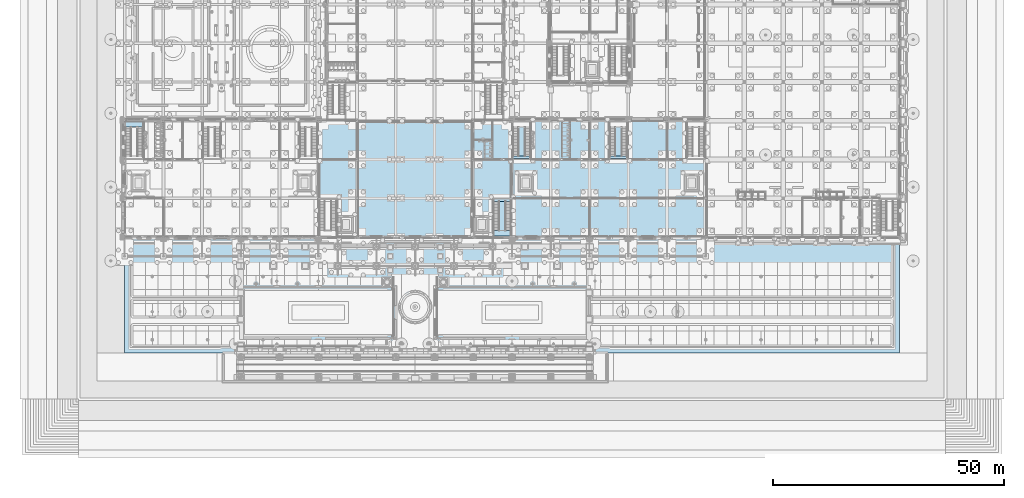
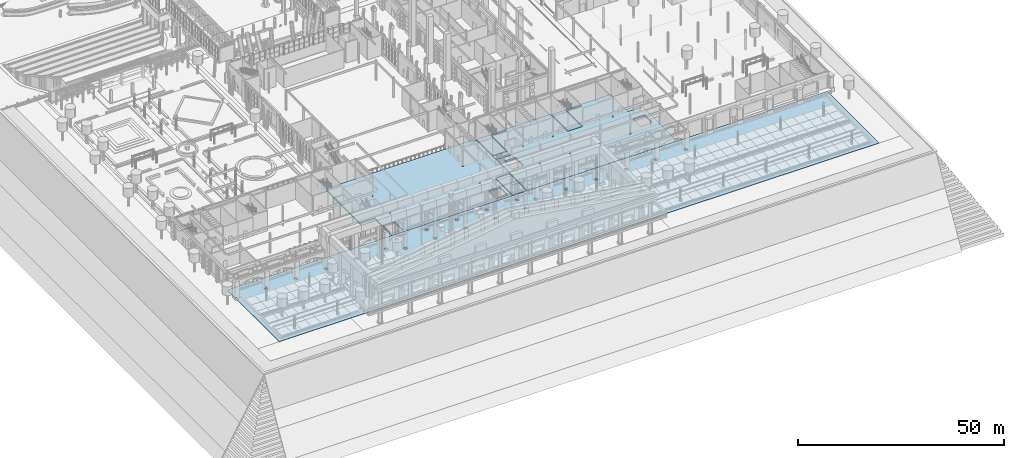
# One storey, part 76 of 222: 11 slabs, 4 elements without a shape of their own.
"""IFC4 building model written with IfcOpenShell, lengths in metres."""

import ifcopenshell
import ifcopenshell.guid

model = None  # the IFC model being written
_history = None  # IfcOwnerHistory: only IFC2X3 demands one
_inside = {}  # id of a spatial element -> (the spatial element, [elements in it])
_under = {}  # id of a project, library or spatial element -> (it, [spatial elements below it])
_declared = {}  # id of a project -> (the project, [libraries it declares])
_typed = {}  # id of a type object -> (the type object, [elements of that type])
_made_of = {}  # id of a material, layer set ... -> (it, [elements and type objects made of it])


def new_model(schema):
    """Start an empty IFC model of exactly this schema.

    Asked for "IFC4X3", IfcOpenShell would pick the latest addendum, in which some entities
    have other attributes; the version numbers below select the first issue.
    IFC2X3 requires an IfcOwnerHistory on every rooted entity: one is made here for all.
    """
    global model, _history
    if schema == "IFC4X3":
        model = ifcopenshell.file(schema_version=(4, 3, 0, 0))
    else:
        model = ifcopenshell.file(schema=schema)
    _inside.clear()
    _under.clear()
    _declared.clear()
    _typed.clear()
    _made_of.clear()
    _history = None
    if model.schema == "IFC2X3":
        org = make("IfcOrganization", Name="unknown")
        user = make(
            "IfcPersonAndOrganization",
            ThePerson=make("IfcPerson", FamilyName="unknown"),
            TheOrganization=org,
        )
        app = make(
            "IfcApplication",
            ApplicationDeveloper=org,
            Version="unknown",
            ApplicationFullName="unknown",
            ApplicationIdentifier="unknown",
        )
        _history = make(
            "IfcOwnerHistory",
            OwningUser=user,
            OwningApplication=app,
            ChangeAction="ADDED",
            CreationDate=0,
        )
    return model


def make(cls, **values):
    """One entity of the class cls with the attributes given. An attribute that is None is left unset."""
    return model.create_entity(
        cls, **{name: value for name, value in values.items() if value is not None}
    )


def rooted(cls, **values):
    """An entity with a GlobalId (a new one), such as an element, a storey or a relation."""
    return make(cls, GlobalId=ifcopenshell.guid.new(), OwnerHistory=_history, **values)


def si_unit(unit_type, name, prefix=None):
    """IfcSIUnit, for example si_unit("LENGTHUNIT", "METRE", prefix="MILLI")."""
    return make("IfcSIUnit", UnitType=unit_type, Prefix=prefix, Name=name)


def assignment(units):
    """IfcUnitAssignment: the units of a project."""
    return None if units is None else make("IfcUnitAssignment", Units=units)


def point(xyz):
    """IfcCartesianPoint."""
    return None if xyz is None else make("IfcCartesianPoint", Coordinates=xyz)


def direction(xyz):
    """IfcDirection."""
    return None if xyz is None else make("IfcDirection", DirectionRatios=xyz)


def frame(location, z_axis=None, x_axis=None):
    """IfcAxis2Placement3D, a coordinate frame: its origin and axes. An axis left out is left unset."""
    return make(
        "IfcAxis2Placement3D",
        Location=point(location),
        Axis=direction(z_axis),
        RefDirection=direction(x_axis),
    )


def origin():
    """The frame at (0, 0, 0) with its axes left unset."""
    return frame((0.0, 0.0, 0.0))


def place(relative_to, where):
    """IfcLocalPlacement: puts the frame where relative to a parent placement (None: the world)."""
    return make(
        "IfcLocalPlacement", PlacementRelTo=relative_to, RelativePlacement=where
    )


def context(
    kind, dimensions, precision=None, world=None, true_north=None, identifier=None
):
    """IfcGeometricRepresentationContext, for example the 3D "Model" context."""
    return make(
        "IfcGeometricRepresentationContext",
        ContextIdentifier=identifier,
        ContextType=kind,
        CoordinateSpaceDimension=dimensions,
        Precision=precision,
        WorldCoordinateSystem=world,
        TrueNorth=true_north,
    )


def subcontext(parent, identifier, kind, view, scale=None):
    """IfcGeometricRepresentationSubContext, for example "Body" below "Model"."""
    return make(
        "IfcGeometricRepresentationSubContext",
        ContextIdentifier=identifier,
        ContextType=kind,
        ParentContext=parent,
        TargetScale=scale,
        TargetView=view,
    )


def project(units=None, contexts=None):
    """IfcProject with its units and contexts."""
    return rooted(
        "IfcProject",
        Name="project",
        RepresentationContexts=contexts,
        UnitsInContext=assignment(units),
    )


def spatial(cls, under=None, at=None, **own):
    """A site, building, storey or space (cls), placed at a placement, below another one or the project."""
    s = rooted(cls, ObjectPlacement=at, **own)
    if under is not None:
        _under.setdefault(under.id(), (under, []))[1].append(s)
    return s


def polyline(points):
    """IfcPolyline through the points."""
    return make("IfcPolyline", Points=[point(p) for p in points])


def outline(outer, holes=None, kind="AREA"):
    """IfcArbitraryClosedProfileDef: a profile drawn as a closed curve; with holes, ...WithVoids."""
    if holes is None:
        return make("IfcArbitraryClosedProfileDef", ProfileType=kind, OuterCurve=outer)
    return make(
        "IfcArbitraryProfileDefWithVoids",
        ProfileType=kind,
        OuterCurve=outer,
        InnerCurves=holes,
    )


def extrude(swept, where, along, depth):
    """IfcExtrudedAreaSolid: the profile swept, set in the frame where, extruded along a direction by depth."""
    return make(
        "IfcExtrudedAreaSolid",
        SweptArea=swept,
        Position=where,
        ExtrudedDirection=direction(along),
        Depth=depth,
    )


def shape(context_of_items, identifier, shape_type, items):
    """IfcShapeRepresentation: the items that make up one representation, for example the "Body"."""
    return make(
        "IfcShapeRepresentation",
        ContextOfItems=context_of_items,
        RepresentationIdentifier=identifier,
        RepresentationType=shape_type,
        Items=items,
    )


def material(Name=None, Category=None):
    """IfcMaterial."""
    return make("IfcMaterial", Name=Name, Category=Category)


def layer(
    of_material, thickness, ventilated=None, Name=None, Category=None, Priority=None
):
    """IfcMaterialLayer: one layer of a wall or slab, of a material (None: an air gap)."""
    return make(
        "IfcMaterialLayer",
        Material=of_material,
        LayerThickness=thickness,
        IsVentilated=ventilated,
        Name=Name,
        Category=Category,
        Priority=Priority,
    )


def layer_set(layers, Name=None):
    """IfcMaterialLayerSet."""
    return make("IfcMaterialLayerSet", MaterialLayers=layers, LayerSetName=Name)


def made_of(thing, what):
    """Note that an element or type object is made of a material, layer set ...; save() writes the relation."""
    if what is not None:
        _made_of.setdefault(what.id(), (what, []))[1].append(thing)
    return thing


def type_object(cls, material=None, **own):
    """A type object (cls), such as IfcWallType, which elements share."""
    return made_of(rooted(cls, **own), material)


def element(
    cls,
    number,
    at=None,
    inside=None,
    cuts=None,
    type_object=None,
    material=None,
    context=None,
    identifier="Body",
    shape_type=None,
    held_by="IfcProductDefinitionShape",
    body=None,
    shapes=None,
    **own,
):
    """One element of the class cls, such as IfcWall. Its Tag is "e" and its number.

    at: its placement. inside: the storey or other place that contains it. cuts: it is an
    opening in that element (IfcRelVoidsElement). A single representation is given by context,
    identifier, shape_type and body (its items); several are given by shapes. held_by: the class
    of the entity that holds the representations. save() writes the other relations.
    """
    e = rooted(cls, Tag="e%d" % number, ObjectPlacement=at, **own)
    if body is not None:
        shapes = [shape(context, identifier, shape_type, body)]
    if shapes is not None:
        e.Representation = make(held_by, Representations=shapes)
    if inside is not None:
        _inside.setdefault(inside.id(), (inside, []))[1].append(e)
    if cuts is not None:
        rooted(
            "IfcRelVoidsElement", RelatingBuildingElement=cuts, RelatedOpeningElement=e
        )
    if type_object is not None:
        _typed.setdefault(type_object.id(), (type_object, []))[1].append(e)
    return made_of(e, material)


def aggregate(whole, parts):
    """IfcRelAggregates: a whole, such as a stair, and the parts it consists of."""
    return rooted("IfcRelAggregates", RelatingObject=whole, RelatedObjects=parts)


def save(model, path):
    """Write the relations noted so far, then the file.

    IfcRelAggregates (storeys below a building ...), IfcRelContainedInSpatialStructure (elements
    in a storey), IfcRelDefinesByType, IfcRelAssociatesMaterial and IfcRelDeclares: one each for
    every whole, place, type object, material and project.
    """
    for whole, parts in _under.values():
        aggregate(whole, parts)
    for where, things in _inside.values():
        rooted(
            "IfcRelContainedInSpatialStructure",
            RelatedElements=things,
            RelatingStructure=where,
        )
    for kind, things in _typed.values():
        rooted("IfcRelDefinesByType", RelatedObjects=things, RelatingType=kind)
    for what, things in _made_of.values():
        rooted("IfcRelAssociatesMaterial", RelatedObjects=things, RelatingMaterial=what)
    for by, libraries in _declared.values():
        rooted("IfcRelDeclares", RelatingContext=by, RelatedDefinitions=libraries)
    model.write(path)


model = new_model("IFC4")

# Units and contexts
model_context = context("Model", 3, precision=1e-05, world=origin(), true_north=direction((0.0, 1.0)))
body_context = subcontext(model_context, "Body", "Model", "MODEL_VIEW")
ifc_project = project(units=[si_unit("LENGTHUNIT", "METRE"), si_unit("AREAUNIT", "SQUARE_METRE"), si_unit("VOLUMEUNIT", "CUBIC_METRE"), si_unit("PLANEANGLEUNIT", "RADIAN"), si_unit("MASSUNIT", "GRAM", prefix="KILO")], contexts=[model_context])

# Site, building, storey
site_placement = place(None, origin())
site = spatial("IfcSite", under=ifc_project, at=site_placement, CompositionType="ELEMENT")
building_placement = place(site_placement, origin())
building = spatial("IfcBuilding", under=site, at=building_placement, Name="Sava Quay Ferry Terminal", CompositionType="ELEMENT")
storey_placement = place(building_placement, origin())
storey = spatial("IfcBuildingStorey", under=building, at=storey_placement, Name="L00", CompositionType="ELEMENT", Elevation=0.0)

# Slabs
ifc_material_1 = material(Name="Concrete C30/37", Category="concrete")
ifc_layer_1 = layer(ifc_material_1, 0.199951171875)
ifc_layer_set_1 = layer_set([ifc_layer_1], Name="Concrete C30/37")
slab_type_1 = type_object("IfcSlabType", Name="Forecourt paving 200", PredefinedType="BASESLAB", material=ifc_layer_set_1)
slab_1_placement = place(storey_placement, frame((0.0, 0.0, -0.199951171875)))
element("IfcSlab", 1, at=slab_1_placement, inside=storey, type_object=slab_type_1, Name="Forecourt paving", PredefinedType="BASESLAB", context=body_context, shape_type="SweptSolid", body=[
    extrude(outline(polyline([(0.0, 25.199951171875), (168.0, 25.199951171875), (168.0, 0.0), (0.0, 0.0), (0.0, 20.64990234375), (0.35009765625, 20.64990234375), (0.35009765625, 21.35009765625), (0.0, 21.35009765625), (0.0, 25.199951171875)]), holes=[polyline([(46.550048828125, 19.25), (45.85009765625, 19.25), (45.85009765625, 18.550048828125), (46.550048828125, 18.550048828125), (46.550048828125, 19.25)]), polyline([(54.949951171875, 19.25), (54.25, 19.25), (54.25, 18.550048828125), (54.949951171875, 18.550048828125), (54.949951171875, 19.25)]), polyline([(8.75, 20.64990234375), (8.75, 21.35009765625), (8.050048828125, 21.35009765625), (8.050048828125, 20.64990234375), (8.75, 20.64990234375)]), polyline([(17.14990234375, 20.64990234375), (17.14990234375, 21.35009765625), (16.449951171875, 21.35009765625), (16.449951171875, 20.64990234375), (17.14990234375, 20.64990234375)]), polyline([(25.550048828125, 21.35009765625), (24.85009765625, 21.35009765625), (24.85009765625, 20.64990234375), (25.550048828125, 20.64990234375), (25.550048828125, 21.35009765625)]), polyline([(33.949951171875, 20.64990234375), (33.949951171875, 21.35009765625), (33.25, 21.35009765625), (33.25, 20.64990234375), (33.949951171875, 20.64990234375)]), polyline([(42.35009765625, 20.64990234375), (42.35009765625, 21.35009765625), (41.64990234375, 21.35009765625), (41.64990234375, 20.64990234375), (42.35009765625, 20.64990234375)]), polyline([(46.550048828125, 23.449951171875), (45.85009765625, 23.449951171875), (45.85009765625, 22.75), (46.550048828125, 22.75), (46.550048828125, 23.449951171875)]), polyline([(54.949951171875, 22.75), (54.949951171875, 23.449951171875), (54.25, 23.449951171875), (54.25, 22.75), (54.949951171875, 22.75)]), polyline([(63.35009765625, 22.75), (63.35009765625, 23.449951171875), (62.64990234375, 23.449951171875), (62.64990234375, 22.75), (63.35009765625, 22.75)]), polyline([(63.35009765625, 19.25), (62.64990234375, 19.25), (62.64990234375, 18.550048828125), (63.35009765625, 18.550048828125), (63.35009765625, 19.25)]), polyline([(71.75, 19.25), (71.050048828125, 19.25), (71.050048828125, 18.550048828125), (71.75, 18.550048828125), (71.75, 19.25)]), polyline([(80.14990234375, 19.25), (79.449951171875, 19.25), (79.449951171875, 18.550048828125), (80.14990234375, 18.550048828125), (80.14990234375, 19.25)]), polyline([(84.35009765625, 20.64990234375), (84.35009765625, 21.35009765625), (83.64990234375, 21.35009765625), (83.64990234375, 20.64990234375), (84.35009765625, 20.64990234375)]), polyline([(92.75, 20.64990234375), (92.75, 21.35009765625), (92.050048828125, 21.35009765625), (92.050048828125, 20.64990234375), (92.75, 20.64990234375)]), polyline([(101.14990234375, 21.35009765625), (100.449951171875, 21.35009765625), (100.449951171875, 20.64990234375), (101.14990234375, 20.64990234375), (101.14990234375, 21.35009765625)]), polyline([(109.550048828125, 20.64990234375), (109.550048828125, 21.35009765625), (108.85009765625, 21.35009765625), (108.85009765625, 20.64990234375), (109.550048828125, 20.64990234375)]), polyline([(117.949951171875, 20.64990234375), (117.949951171875, 21.35009765625), (117.25, 21.35009765625), (117.25, 20.64990234375), (117.949951171875, 20.64990234375)]), polyline([(126.35009765625, 21.35009765625), (125.64990234375, 21.35009765625), (125.64990234375, 20.64990234375), (126.35009765625, 20.64990234375), (126.35009765625, 21.35009765625)]), polyline([(71.75, 22.75), (71.75, 23.449951171875), (71.050048828125, 23.449951171875), (71.050048828125, 22.75), (71.75, 22.75)]), polyline([(80.14990234375, 22.75), (80.14990234375, 23.449951171875), (79.449951171875, 23.449951171875), (79.449951171875, 22.75), (80.14990234375, 22.75)])]), origin(), (0.0, 0.0, 1.0), 0.199951171875),
])
ifc_material_2 = material(Name="Concrete C40/50", Category="concrete")
ifc_layer_2 = layer(ifc_material_2, 0.449951171875)
ifc_layer_set_2 = layer_set([ifc_layer_2], Name="Concrete C40/50")
slab_type_2 = type_object("IfcSlabType", Name="RC deck slab 450", PredefinedType="FLOOR", material=ifc_layer_set_2)
slab_2_placement = place(storey_placement, frame((0.0, 0.0, -0.449951171875)))
element("IfcSlab", 2, at=slab_2_placement, inside=storey, type_object=slab_type_2, Name="A floor slab L00", PredefinedType="FLOOR", context=body_context, shape_type="SweptSolid", body=[
    extrude(outline(polyline([(84.0, 33.60009765625), (79.800048828125, 33.60009765625), (79.800048828125, 25.199951171875), (75.760009765625, 25.199951171875), (75.760009765625, 25.360107421875), (75.43994140625, 25.360107421875), (75.43994140625, 25.199951171875), (50.56005859375, 25.199951171875), (50.56005859375, 25.360107421875), (50.239990234375, 25.360107421875), (50.239990234375, 25.199951171875), (46.199951171875, 25.199951171875), (46.199951171875, 33.60009765625), (42.0, 33.60009765625), (42.0, 42.0), (42.0, 50.050048828125), (42.64990234375, 50.050048828125), (42.64990234375, 50.39990234375), (43.800048828125, 50.39990234375), (48.0, 50.39990234375), (50.239990234375, 50.39990234375), (50.239990234375, 50.18994140625), (50.56005859375, 50.18994140625), (50.56005859375, 50.39990234375), (75.43994140625, 50.39990234375), (75.43994140625, 50.18994140625), (75.760009765625, 50.18994140625), (75.760009765625, 50.39990234375), (78.0, 50.39990234375), (82.199951171875, 50.39990234375), (83.35009765625, 50.39990234375), (83.35009765625, 50.050048828125), (84.0, 50.050048828125), (84.0, 42.0), (84.0, 33.60009765625)]), holes=[polyline([(46.39990234375, 29.800048828125), (46.39990234375, 26.0), (49.60009765625, 26.0), (49.60009765625, 29.800048828125), (46.39990234375, 29.800048828125)]), polyline([(50.56005859375, 33.760009765625), (50.239990234375, 33.760009765625), (50.239990234375, 33.43994140625), (50.56005859375, 33.43994140625), (50.56005859375, 33.760009765625)]), polyline([(50.239990234375, 42.159912109375), (50.239990234375, 41.840087890625), (50.56005859375, 41.840087890625), (50.56005859375, 42.159912109375), (50.239990234375, 42.159912109375)]), polyline([(79.0, 29.800048828125), (75.800048828125, 29.800048828125), (75.800048828125, 26.0), (79.0, 26.0), (79.0, 29.800048828125)]), polyline([(75.760009765625, 33.760009765625), (75.43994140625, 33.760009765625), (75.43994140625, 33.43994140625), (75.760009765625, 33.43994140625), (75.760009765625, 33.760009765625)]), polyline([(75.760009765625, 42.159912109375), (75.43994140625, 42.159912109375), (75.43994140625, 41.840087890625), (75.760009765625, 41.840087890625), (75.760009765625, 42.159912109375)])]), origin(), (0.0, 0.0, 1.0), 0.449951171875),
])
slab_3_placement = place(storey_placement, frame((0.0, 0.0, -0.449951171875)))
element("IfcSlab", 3, at=slab_3_placement, inside=storey, type_object=slab_type_2, Name="P floor slab L00", PredefinedType="FLOOR", context=body_context, shape_type="SweptSolid", body=[
    extrude(outline(polyline([(126.0, 25.3701171875), (125.840087890625, 25.3701171875), (125.840087890625, 25.199951171875), (117.760009765625, 25.199951171875), (117.760009765625, 25.3701171875), (117.43994140625, 25.3701171875), (117.43994140625, 25.199951171875), (109.360107421875, 25.199951171875), (109.360107421875, 25.3701171875), (109.0400390625, 25.3701171875), (109.0400390625, 25.199951171875), (100.9599609375, 25.199951171875), (100.9599609375, 25.3701171875), (100.639892578125, 25.3701171875), (100.639892578125, 25.199951171875), (92.56005859375, 25.199951171875), (92.56005859375, 25.3701171875), (92.239990234375, 25.3701171875), (92.239990234375, 25.199951171875), (84.0, 25.199951171875), (84.0, 33.60009765625), (84.0, 42.0), (88.199951171875, 42.0), (88.199951171875, 50.39990234375), (92.239990234375, 50.39990234375), (92.239990234375, 50.22998046875), (92.56005859375, 50.22998046875), (92.56005859375, 50.39990234375), (100.639892578125, 50.39990234375), (100.639892578125, 50.22998046875), (100.9599609375, 50.22998046875), (100.9599609375, 50.39990234375), (105.0, 50.39990234375), (105.0, 42.0), (109.199951171875, 42.0), (109.199951171875, 50.39990234375), (117.43994140625, 50.39990234375), (117.43994140625, 50.22998046875), (117.760009765625, 50.22998046875), (117.760009765625, 50.39990234375), (121.800048828125, 50.39990234375), (121.800048828125, 42.0), (126.0, 42.0), (126.0, 33.77001953125), (125.840087890625, 33.77001953125), (125.840087890625, 33.429931640625), (126.0, 33.429931640625), (126.0, 25.3701171875)]), holes=[polyline([(92.56005859375, 33.77001953125), (92.239990234375, 33.77001953125), (92.239990234375, 33.429931640625), (92.56005859375, 33.429931640625), (92.56005859375, 33.77001953125)]), polyline([(109.360107421875, 33.77001953125), (109.0400390625, 33.77001953125), (109.0400390625, 33.429931640625), (109.360107421875, 33.429931640625), (109.360107421875, 33.77001953125)]), polyline([(100.9599609375, 33.77001953125), (100.639892578125, 33.77001953125), (100.639892578125, 33.429931640625), (100.9599609375, 33.429931640625), (100.9599609375, 33.77001953125)]), polyline([(117.43994140625, 33.77001953125), (117.43994140625, 33.429931640625), (117.760009765625, 33.429931640625), (117.760009765625, 33.77001953125), (117.43994140625, 33.77001953125)]), polyline([(88.60009765625, 38.800048828125), (85.39990234375, 38.800048828125), (85.39990234375, 35.0), (88.60009765625, 35.0), (88.60009765625, 38.800048828125)]), polyline([(124.60009765625, 38.800048828125), (121.39990234375, 38.800048828125), (121.39990234375, 35.0), (124.60009765625, 35.0), (124.60009765625, 38.800048828125)]), polyline([(100.9599609375, 42.169921875), (100.639892578125, 42.169921875), (100.639892578125, 41.830078125), (100.9599609375, 41.830078125), (100.9599609375, 42.169921875)]), polyline([(117.760009765625, 42.169921875), (117.43994140625, 42.169921875), (117.43994140625, 41.830078125), (117.760009765625, 41.830078125), (117.760009765625, 42.169921875)]), polyline([(92.56005859375, 42.169921875), (92.239990234375, 42.169921875), (92.239990234375, 41.830078125), (92.56005859375, 41.830078125), (92.56005859375, 42.169921875)])]), origin(), (0.0, 0.0, 1.0), 0.449951171875),
])
slab_4_placement = place(storey_placement, frame((0.0, 0.0, -0.449951171875)))
element("IfcSlab", 4, at=slab_4_placement, inside=storey, type_object=slab_type_2, Name="Stair floor ST-A2", PredefinedType="FLOOR", context=body_context, shape_type="SweptSolid", body=[
    extrude(outline(polyline([(80.0, 25.39990234375), (83.800048828125, 25.39990234375), (83.800048828125, 33.39990234375), (80.0, 33.39990234375), (80.0, 25.39990234375)])), origin(), (0.0, 0.0, 1.0), 0.449951171875),
])
slab_5_placement = place(storey_placement, frame((0.0, 0.0, -0.449951171875)))
element("IfcSlab", 5, at=slab_5_placement, inside=storey, type_object=slab_type_2, Name="Stair floor ST-P1", PredefinedType="FLOOR", context=body_context, shape_type="SweptSolid", body=[
    extrude(outline(polyline([(84.199951171875, 42.199951171875), (88.0, 42.199951171875), (88.0, 50.199951171875), (84.199951171875, 50.199951171875), (84.199951171875, 42.199951171875)])), origin(), (0.0, 0.0, 1.0), 0.449951171875),
])
slab_6_placement = place(storey_placement, frame((0.0, 0.0, -0.449951171875)))
element("IfcSlab", 6, at=slab_6_placement, inside=storey, type_object=slab_type_2, Name="Stair floor ST-P3", PredefinedType="FLOOR", context=body_context, shape_type="SweptSolid", body=[
    extrude(outline(polyline([(105.199951171875, 42.199951171875), (109.0, 42.199951171875), (109.0, 50.199951171875), (105.199951171875, 50.199951171875), (105.199951171875, 42.199951171875)])), origin(), (0.0, 0.0, 1.0), 0.449951171875),
])

# Stair, slab
ifc_material_3 = material(Name="Concrete C30/37", Category="concrete")
stair_type = type_object("IfcStairType", Name="Stair 1200 half landing", PredefinedType="HALF_TURN_STAIR", material=ifc_material_3)
stair_1_placement = place(storey_placement, origin())
stair_1 = element("IfcStair", 7, at=stair_1_placement, inside=storey, type_object=stair_type, Name="Stair ST-A2 L00", PredefinedType="HALF_TURN_STAIR")
ifc_material_4 = material(Name="Concrete C30/37", Category="concrete")
ifc_layer_3 = layer(ifc_material_4, 0.199951171875)
ifc_layer_set_3 = layer_set([ifc_layer_3], Name="Concrete C30/37")
slab_type_3 = type_object("IfcSlabType", Name="Stair head floor 200", PredefinedType="FLOOR", material=ifc_layer_set_3)
slab_7_placement = place(storey_placement, frame((0.0, 0.0, 5.800048828125)))
slab_7 = element("IfcSlab", 8, at=slab_7_placement, type_object=slab_type_3, Name="ST-A2 head floor L01", PredefinedType="FLOOR", context=body_context, shape_type="SweptSolid", body=[
    extrude(outline(polyline([(80.0, 32.8701171875), (80.0, 33.39990234375), (83.800048828125, 33.39990234375), (83.800048828125, 32.8701171875), (80.0, 32.8701171875)])), origin(), (0.0, 0.0, 1.0), 0.199951171875),
])

stair_2_placement = place(storey_placement, origin())
stair_2 = element("IfcStair", 9, at=stair_2_placement, inside=storey, type_object=stair_type, Name="Stair ST-P1 L00", PredefinedType="HALF_TURN_STAIR")
slab_8_placement = place(storey_placement, frame((0.0, 0.0, 5.800048828125)))
slab_8 = element("IfcSlab", 10, at=slab_8_placement, type_object=slab_type_3, Name="ST-P1 head floor L01", PredefinedType="FLOOR", context=body_context, shape_type="SweptSolid", body=[
    extrude(outline(polyline([(84.199951171875, 42.199951171875), (84.199951171875, 42.72998046875), (88.0, 42.72998046875), (88.0, 42.199951171875), (84.199951171875, 42.199951171875)])), origin(), (0.0, 0.0, 1.0), 0.199951171875),
])
aggregate(stair_2, [slab_8])

stair_3_placement = place(storey_placement, origin())
stair_3 = element("IfcStair", 11, at=stair_3_placement, inside=storey, type_object=stair_type, Name="Stair ST-P3 L00", PredefinedType="HALF_TURN_STAIR")
slab_9_placement = place(storey_placement, frame((0.0, 0.0, 5.800048828125)))
slab_9 = element("IfcSlab", 12, at=slab_9_placement, type_object=slab_type_3, Name="ST-P3 head floor L01", PredefinedType="FLOOR", context=body_context, shape_type="SweptSolid", body=[
    extrude(outline(polyline([(105.199951171875, 42.199951171875), (105.199951171875, 42.72998046875), (109.0, 42.72998046875), (109.0, 42.199951171875), (105.199951171875, 42.199951171875)])), origin(), (0.0, 0.0, 1.0), 0.199951171875),
])
aggregate(stair_3, [slab_9])

# Slab
ifc_material_5 = material(Name="Concrete C30/37", Category="concrete")
ifc_layer_4 = layer(ifc_material_5, 0.199951171875)
ifc_layer_set_4 = layer_set([ifc_layer_4], Name="Concrete C30/37")
slab_type_4 = type_object("IfcSlabType", Name="Stair landing 200", PredefinedType="LANDING", material=ifc_layer_set_4)
slab_10_placement = place(storey_placement, frame((0.0, 0.0, 2.800048828125)))
slab_10 = element("IfcSlab", 13, at=slab_10_placement, type_object=slab_type_4, Name="ST-A2 landing 1", PredefinedType="LANDING", context=body_context, shape_type="SweptSolid", body=[
    extrude(outline(polyline([(80.0, 25.39990234375), (80.0, 26.60009765625), (83.800048828125, 26.60009765625), (83.800048828125, 25.39990234375), (80.0, 25.39990234375)])), origin(), (0.0, 0.0, 1.0), 0.199951171875),
])

aggregate(stair_1, [slab_10, slab_7])

# Stair, slab
stair_4_placement = place(storey_placement, origin())
stair_4 = element("IfcStair", 14, at=stair_4_placement, inside=storey, type_object=stair_type, Name="Stair ST-W1 L00", PredefinedType="HALF_TURN_STAIR")
slab_11_placement = place(storey_placement, frame((0.0, 0.0, 2.800048828125)))
slab_11 = element("IfcSlab", 15, at=slab_11_placement, type_object=slab_type_4, Name="ST-W1 landing 1", PredefinedType="LANDING", context=body_context, shape_type="SweptSolid", body=[
    extrude(outline(polyline([(0.199951171875, 49.0), (0.199951171875, 50.199951171875), (4.0, 50.199951171875), (4.0, 49.0), (0.199951171875, 49.0)])), origin(), (0.0, 0.0, 1.0), 0.199951171875),
])
aggregate(stair_4, [slab_11])

save(model, "model.ifc")
